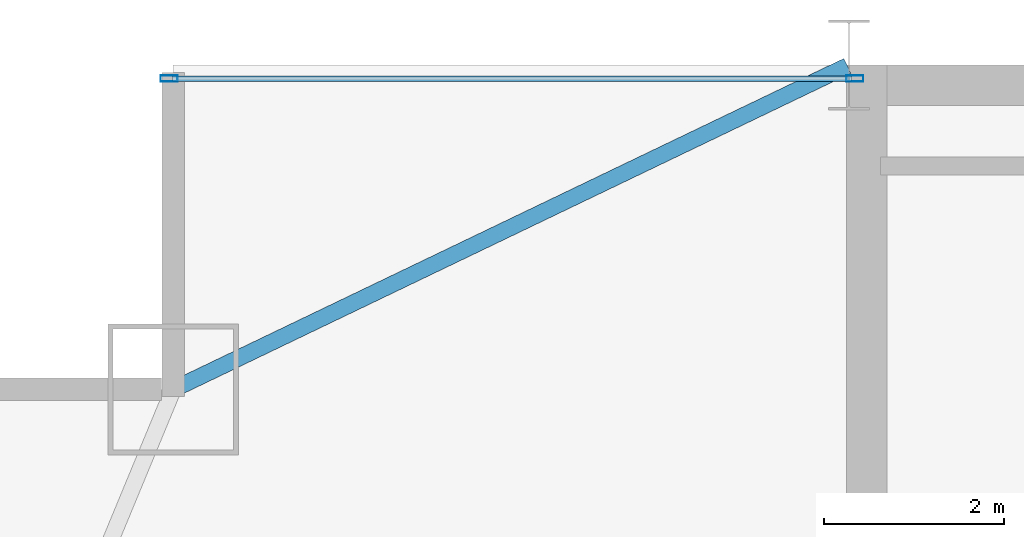
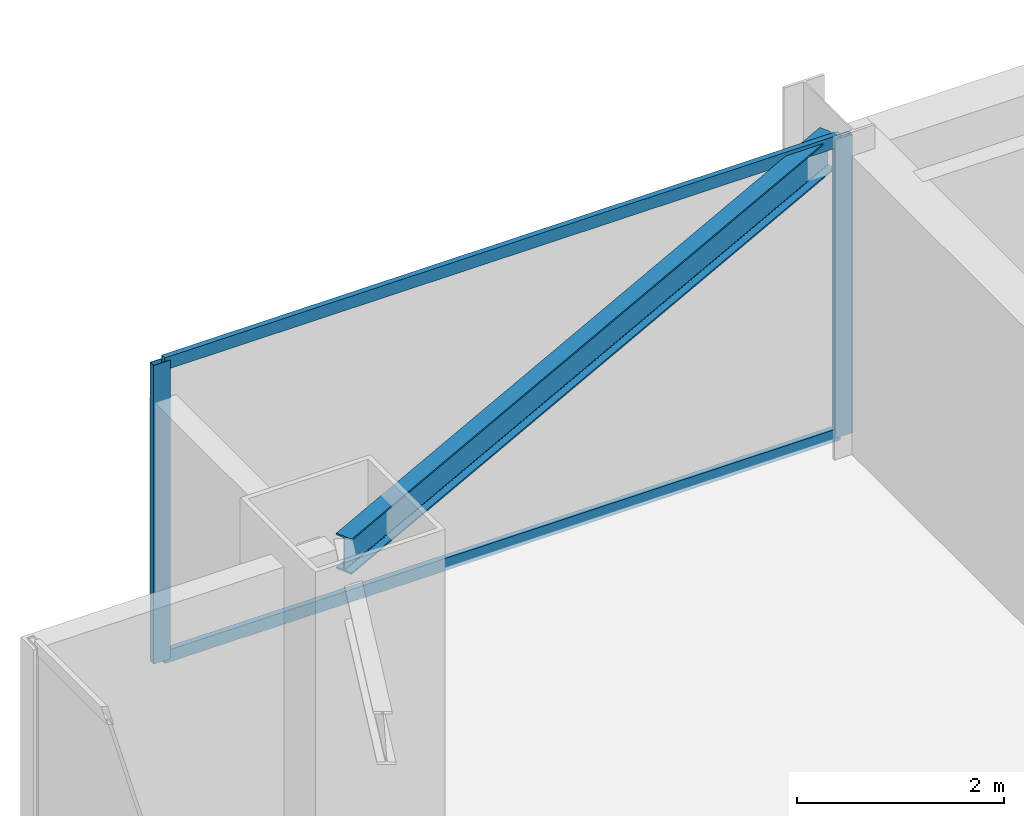
# One storey, part 22 of 31: 4 members, 1 beam, 1 element without a shape of its own.
"""IFC4 building model written with IfcOpenShell, lengths in metres."""

from ifc_helpers import new_model, si_unit, direction, frame, origin, origin_2d, place, context, subcontext, project, spatial, hollow_rectangle, i_section, extrude, source, transform, mapped, material, layer, layer_set, material_profile, profile_set, type_object, type_shapes, element, aggregate, save


model = new_model("IFC4")

# Units and contexts
model_context = context("Model", 3, precision=1e-05, world=origin(), true_north=direction((0.0, 1.0)))
body_context = subcontext(model_context, "Body", "Model", "MODEL_VIEW")
ifc_project = project(units=[si_unit("LENGTHUNIT", "METRE"), si_unit("AREAUNIT", "SQUARE_METRE"), si_unit("VOLUMEUNIT", "CUBIC_METRE"), si_unit("PLANEANGLEUNIT", "RADIAN"), si_unit("MASSUNIT", "GRAM", prefix="KILO")], contexts=[model_context])

# Site, building, storey
site_placement = place(None, origin())
site = spatial("IfcSite", under=ifc_project, at=site_placement, CompositionType="ELEMENT")
building_placement = place(site_placement, origin())
building = spatial("IfcBuilding", under=site, at=building_placement, Name="Varnel Quay Broadcast Tower", CompositionType="ELEMENT")
storey_placement = place(building_placement, frame((0.0, 0.0, 94.60009765625)))
storey = spatial("IfcBuildingStorey", under=building, at=storey_placement, Name="L22", CompositionType="ELEMENT", Elevation=94.60009765625)

# Beam
ifc_material_1 = material(Name="Structural Steel CSA G40.21 350W", Category="steel")
ifc_material_profile_1 = material_profile(ifc_material_1, i_section(OverallWidth=0.180908203125, OverallDepth=0.4169921875, WebThickness=0.010986328125, FlangeThickness=0.018310546875, FilletRadius=0.011962890625, at=origin_2d()), Name="W410X85")
ifc_profile_set_1 = profile_set([ifc_material_profile_1], Name="Structural Steel CSA G40.21 350W")
beam_type = type_object("IfcBeamType", Name="Beam_W410X85", PredefinedType="SPANDREL", material=ifc_profile_set_1)
shared_shape_1 = source(origin(), body_context, "Body", "SweptSolid", [
    extrude(i_section(OverallWidth=0.180908203125, OverallDepth=0.4169921875, WebThickness=0.010986328125, FlangeThickness=0.018310546875, FilletRadius=0.011962890625, at=origin_2d()), origin(), (0.0, 0.0, 1.0), 8.279296875),
])
type_shapes(beam_type, [shared_shape_1])
beam_placement = place(storey_placement, frame((8.117919921875, 43.208740234375, 3.3115234375), z_axis=(0.901535021024, 0.432706142626, 0.0), x_axis=(-0.432706142626, 0.901535021024, 0.0)))
element("IfcBeam", 1, at=beam_placement, inside=storey, type_object=beam_type, Name="L22 NW Tie Spandrel", PredefinedType="SPANDREL", context=body_context, shape_type="MappedRepresentation", body=[
    mapped(shared_shape_1, transform((0.0, 0.0, 0.0), x_axis=(1.0, 0.0, 0.0), y_axis=(0.0, 1.0, 0.0), z_axis=(0.0, 0.0, 1.0), scale=1.0)),
])

# Curtain wall, members
ifc_material_2 = material(Name="Anodised Bronze Aluminium 6063-T6", Category="aluminium")
ifc_layer = layer(ifc_material_2, 0.18994140625, Name="Anodised Bronze Aluminium 6063-T6")
ifc_layer_set = layer_set([ifc_layer], Name="Anodised Bronze Aluminium 6063-T6")
curtain_wall_type = type_object("IfcCurtainWallType", Name="CW_LowerTower", PredefinedType="NOTDEFINED", material=ifc_layer_set)
curtain_wall_placement = place(storey_placement, origin())
curtain_wall = element("IfcCurtainWall", 2, at=curtain_wall_placement, inside=storey, type_object=curtain_wall_type, Name="L22 NW Wing Curtain Wall", PredefinedType="NOTDEFINED")
ifc_material_profile_2 = material_profile(ifc_material_2, hollow_rectangle(XDim=0.06005859375, YDim=0.14501953125, WallThickness=0.00341796875, at=origin_2d()), Name="ALU60X145X3.5")
ifc_profile_set_2 = profile_set([ifc_material_profile_2], Name="Anodised Bronze Aluminium 6063-T6")
member_type_1 = type_object("IfcMemberType", Name="Tran_CWS-02", PredefinedType="USERDEFINED", material=ifc_profile_set_2)
shared_shape_2 = source(origin(), body_context, "Body", "SweptSolid", [
    extrude(hollow_rectangle(XDim=0.06005859375, YDim=0.14501953125, WallThickness=0.00341796875, at=origin_2d()), origin(), (0.0, 0.0, 1.0), 7.539794921875),
])
type_shapes(member_type_1, [shared_shape_2])
member_1_placement = place(storey_placement, frame((8.090087890625, 46.64990234375, 0.02978515625), z_axis=(1.0, 0.0, 0.0), x_axis=(0.0, 1.0, 0.0)))
member_1 = element("IfcMember", 3, at=member_1_placement, type_object=member_type_1, Name="CWS-02 transom 1.1", ObjectType="TRANSOM", PredefinedType="USERDEFINED", context=body_context, shape_type="MappedRepresentation", body=[
    mapped(shared_shape_2, transform((0.0, 0.0, 0.0), x_axis=(1.0, 0.0, 0.0), y_axis=(0.0, 1.0, 0.0), z_axis=(0.0, 0.0, 1.0), scale=1.0)),
])
member_2_placement = place(storey_placement, frame((8.090087890625, 46.64990234375, 3.489990234375), z_axis=(1.0, 0.0, 0.0), x_axis=(0.0, 1.0, 0.0)))
member_2 = element("IfcMember", 4, at=member_2_placement, type_object=member_type_1, Name="CWS-02 transom 1.2", ObjectType="TRANSOM", PredefinedType="USERDEFINED", context=body_context, shape_type="MappedRepresentation", body=[
    mapped(shared_shape_2, transform((0.0, 0.0, 0.0), x_axis=(1.0, 0.0, 0.0), y_axis=(0.0, 1.0, 0.0), z_axis=(0.0, 0.0, 1.0), scale=1.0)),
])
ifc_material_profile_3 = material_profile(ifc_material_2, hollow_rectangle(XDim=0.070068359375, YDim=0.18994140625, WallThickness=0.00390625, at=origin_2d()), Name="ALU70X190X4")
ifc_profile_set_3 = profile_set([ifc_material_profile_3], Name="Anodised Bronze Aluminium 6063-T6")
member_type_2 = type_object("IfcMemberType", Name="Mull_CWS-02", PredefinedType="MULLION", material=ifc_profile_set_3)
shared_shape_3 = source(origin(), body_context, "Body", "SweptSolid", [
    extrude(hollow_rectangle(XDim=0.070068359375, YDim=0.18994140625, WallThickness=0.00390625, at=origin_2d()), origin(), (0.0, 0.0, 1.0), 3.52001953125),
])
type_shapes(member_type_2, [shared_shape_3])
member_3_placement = place(storey_placement, frame((8.054931640625, 46.64990234375, 0.0), z_axis=(0.0, 0.0, 1.0), x_axis=(0.0, 1.0, 0.0)))
member_3 = element("IfcMember", 5, at=member_3_placement, type_object=member_type_2, Name="CWS-02 mullion 1", PredefinedType="MULLION", context=body_context, shape_type="MappedRepresentation", body=[
    mapped(shared_shape_3, transform((0.0, 0.0, 0.0), x_axis=(1.0, 0.0, 0.0), y_axis=(0.0, 1.0, 0.0), z_axis=(0.0, 0.0, 1.0), scale=1.0)),
])
member_4_placement = place(storey_placement, frame((15.6650390625, 46.64990234375, 0.0), z_axis=(0.0, 0.0, 1.0), x_axis=(0.0, 1.0, 0.0)))
member_4 = element("IfcMember", 6, at=member_4_placement, type_object=member_type_2, Name="CWS-02 mullion 2", PredefinedType="MULLION", context=body_context, shape_type="MappedRepresentation", body=[
    mapped(shared_shape_3, transform((0.0, 0.0, 0.0), x_axis=(1.0, 0.0, 0.0), y_axis=(0.0, 1.0, 0.0), z_axis=(0.0, 0.0, 1.0), scale=1.0)),
])
aggregate(curtain_wall, [member_3, member_4, member_1, member_2])

save(model, "model.ifc")
